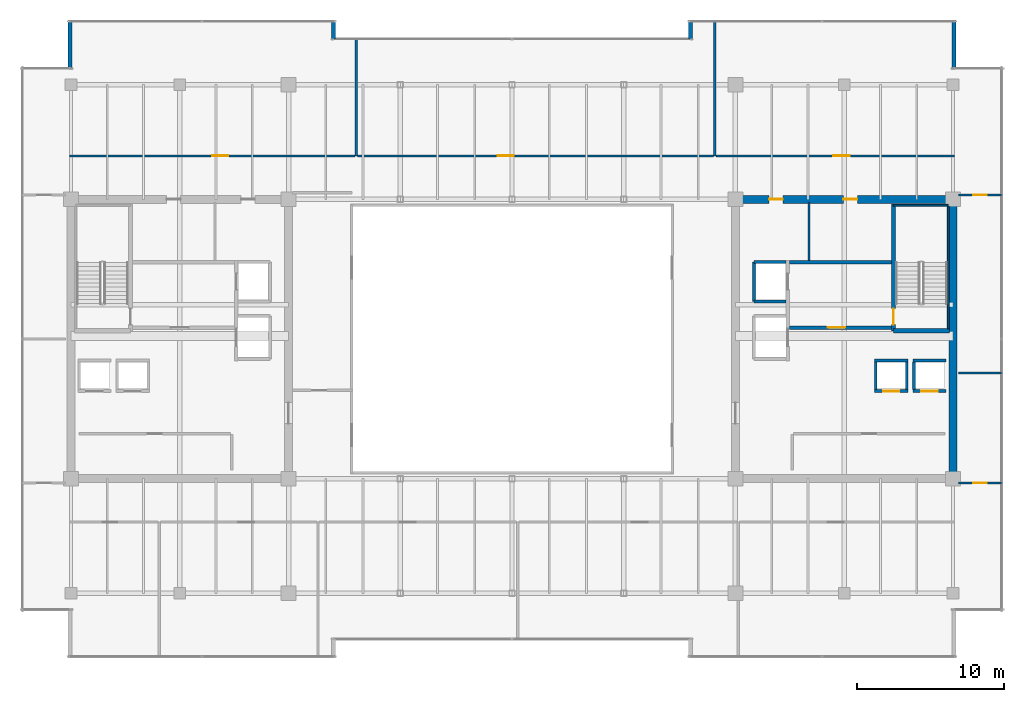
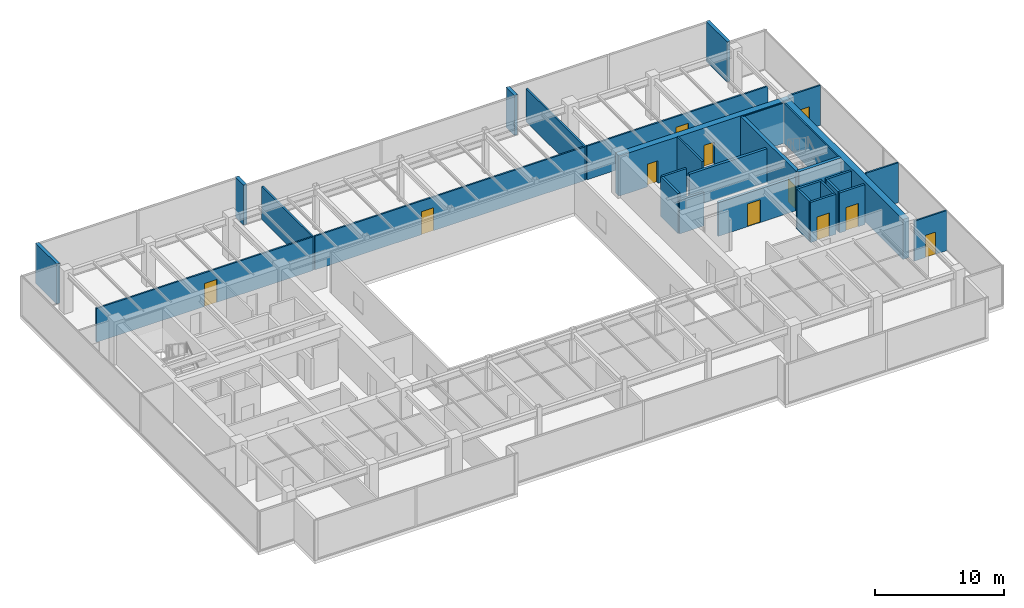
# One storey, part 30 of 33: 31 walls, 11 doors, 11 openings.
"""IFC4 building model written with IfcOpenShell, lengths in metres."""

from ifc_helpers import new_model, si_unit, direction, frame, frame_2d, origin, place, context, subcontext, project, spatial, rectangle, extrude, source, transform, mapped, material, layer, layer_set, type_object, type_shapes, element, fill, save


model = new_model("IFC4")

# Units and contexts
model_context = context("Model", 3, precision=1e-05, world=origin(), true_north=direction((0.0, 1.0)))
body_context = subcontext(model_context, "Body", "Model", "MODEL_VIEW")
ifc_project = project(units=[si_unit("LENGTHUNIT", "METRE"), si_unit("AREAUNIT", "SQUARE_METRE"), si_unit("VOLUMEUNIT", "CUBIC_METRE"), si_unit("PLANEANGLEUNIT", "RADIAN"), si_unit("MASSUNIT", "GRAM", prefix="KILO")], contexts=[model_context])

# Site, building, storey
site_placement = place(None, origin())
site = spatial("IfcSite", under=ifc_project, at=site_placement, CompositionType="ELEMENT")
building_placement = place(site_placement, origin())
building = spatial("IfcBuilding", under=site, at=building_placement, Name="Haelvirn Gate Laboratories", CompositionType="ELEMENT")
storey_placement = place(building_placement, frame((0.0, 0.0, 267.0)))
storey = spatial("IfcBuildingStorey", under=building, at=storey_placement, Name="L64", CompositionType="ELEMENT", Elevation=267.0)

# Walls
ifc_material_1 = material(Name="Thermally-broken bronze aluminium rainscreen & mineral wool", Category="aluminium")
ifc_layer_1 = layer(ifc_material_1, 0.280029296875, Name="EW-TERR-280")
ifc_layer_set_1 = layer_set([ifc_layer_1], Name="Thermally-broken bronze aluminium rainscreen & mineral wool")
wall_type_1 = type_object("IfcWallType", Name="EW-TERR-280", PredefinedType="STANDARD", material=ifc_layer_set_1)
wall_1_placement = place(storey_placement, frame((67.4599609375, 42.7119140625, 0.0), z_axis=(0.0, 0.0, 1.0), x_axis=(0.0, 1.0, 0.0)))
element("IfcWall", 1, at=wall_1_placement, inside=storey, type_object=wall_type_1, Name="L64 Atrium Recess Bronze Return Wall 09", PredefinedType="STANDARD", context=body_context, shape_type="SweptSolid", body=[
    extrude(rectangle(XDim=3.2880859375, YDim=0.280029296875, at=frame_2d((1.64404296875, 0.0))), origin(), (0.0, 0.0, 1.0), 3.800048828125),
])
for number, where, z_axis, x_axis, name in (
    (2, (49.5400390625, 46.0, 0.0), (0.0, 0.0, 1.0), (0.0, -1.0, 0.0), "L64 Atrium Recess Bronze Return Wall 11"),
    (3, (25.260009765625, 44.70703125, 0.0), (0.0, 0.0, 1.0), (0.0, 1.0, 0.0), "L64 Atrium Recess Bronze Return Wall 13"),
):
    element("IfcWall", number, at=place(storey_placement, frame(where, z_axis=z_axis, x_axis=x_axis)), inside=storey, type_object=wall_type_1, Name=name, PredefinedType="STANDARD", context=body_context, shape_type="SweptSolid", body=[
        extrude(rectangle(XDim=1.29296875, YDim=0.280029296875, at=frame_2d((0.646484375, 0.0))), origin(), (0.0, 0.0, 1.0), 3.800048828125),
    ])
wall_2_placement = place(storey_placement, frame((7.340087890625, 46.0, 0.0), z_axis=(0.0, 0.0, 1.0), x_axis=(0.0, -1.0, 0.0)))
element("IfcWall", 4, at=wall_2_placement, inside=storey, type_object=wall_type_1, Name="L64 Atrium Recess Bronze Return Wall 15", PredefinedType="STANDARD", context=body_context, shape_type="SweptSolid", body=[
    extrude(rectangle(XDim=3.2880859375, YDim=0.280029296875, at=frame_2d((1.64404296875, 0.0))), origin(), (0.0, 0.0, 1.0), 3.800048828125),
])
ifc_material_2 = material(Name="Double-layer acoustic gypsum laboratory partition", Category="gypsum")
ifc_layer_2 = layer(ifc_material_2, 0.159912109375, Name="IW-ACOUST-160")
ifc_layer_set_2 = layer_set([ifc_layer_2], Name="Double-layer acoustic gypsum laboratory partition")
wall_type_2 = type_object("IfcWallType", Name="IW-ACOUST-160", PredefinedType="PARTITIONING", material=ifc_layer_set_2)
wall_3_placement = place(storey_placement, frame((26.800048828125, 36.760009765625, 0.0), z_axis=(0.0, 0.0, 1.0), x_axis=(0.0, 1.0, 0.0)))
element("IfcWall", 5, at=wall_3_placement, inside=storey, type_object=wall_type_2, Name="L64 Interior Wall IW-L64-NDIV-01", PredefinedType="PARTITIONING", context=body_context, shape_type="SweptSolid", body=[
    extrude(rectangle(XDim=7.929931640625, YDim=0.159912109375, at=frame_2d((3.96484375, 0.0))), origin(), (0.0, 0.0, 1.0), 3.135009765625),
])
wall_4_placement = place(storey_placement, frame((51.199951171875, 36.760009765625, 0.0), z_axis=(0.0, 0.0, 1.0), x_axis=(0.0, 1.0, 0.0)))
element("IfcWall", 6, at=wall_4_placement, inside=storey, type_object=wall_type_2, Name="L64 Interior Wall IW-L64-NDIV-02", PredefinedType="PARTITIONING", context=body_context, shape_type="SweptSolid", body=[
    extrude(rectangle(XDim=9.1298828125, YDim=0.159912109375, at=frame_2d((4.56494140625, 0.0))), origin(), (0.0, 0.0, 1.0), 3.135009765625),
])

# Wall, opening, door
ifc_material_3 = material(Name="Acoustic mineral-wool gypsum board partition", Category="gypsum")
ifc_layer_3 = layer(ifc_material_3, 0.139892578125, Name="IW-PART-140")
ifc_layer_set_3 = layer_set([ifc_layer_3], Name="Acoustic mineral-wool gypsum board partition")
wall_type_3 = type_object("IfcWallType", Name="IW-PART-140", PredefinedType="PARTITIONING", material=ifc_layer_set_3)
wall_5_placement = place(storey_placement, frame((7.31005859375, 36.760009765625, 0.0), z_axis=(0.0, 0.0, 1.0), x_axis=(1.0, 0.0, 0.0)))
wall_5 = element("IfcWall", 7, at=wall_5_placement, inside=storey, type_object=wall_type_3, Name="L64 Interior Wall IW-L64-NCORR-01", PredefinedType="PARTITIONING", context=body_context, shape_type="SweptSolid", body=[
    extrude(rectangle(XDim=19.409912109375, YDim=0.139892578125, at=frame_2d((9.705078125, 0.0))), origin(), (0.0, 0.0, 1.0), 3.197021484375),
])
opening_1_placement = place(wall_5_placement, frame((9.683349609375, 0.0, 0.0)))
opening_1 = element("IfcOpeningElement", 8, at=opening_1_placement, cuts=wall_5, Name="Opening D1", PredefinedType="OPENING", context=body_context, shape_type="SweptSolid", body=[
    extrude(rectangle(XDim=1.10009765625, YDim=2.179931640625, at=frame_2d((0.550048828125, 1.08984375))), frame((0.0, 0.080078125, 0.0), z_axis=(0.0, -1.0, 0.0), x_axis=(1.0, 0.0, 0.0)), (0.0, 0.0, 1.0), 0.159912109375),
])
ifc_material_4 = material(Name="Vision-panel acoustic solid-core timber lab door", Category="wood")
door_type_1 = type_object("IfcDoorType", Name="DR-LAB-1100", OperationType="NOTDEFINED", PredefinedType="DOOR", material=ifc_material_4)
shared_shape_1 = source(origin(), body_context, "Body", "SweptSolid", [
    extrude(rectangle(XDim=1.10009765625, YDim=2.179931640625, at=frame_2d((0.550048828125, 1.08984375))), frame((0.0, 0.02490234375, 0.0), z_axis=(0.0, -1.0, 0.0), x_axis=(1.0, 0.0, 0.0)), (0.0, 0.0, 1.0), 0.050048828125),
])
type_shapes(door_type_1, [shared_shape_1])
door_1_placement = place(opening_1_placement, origin())
door_1 = element("IfcDoor", 9, at=door_1_placement, inside=storey, type_object=door_type_1, Name="L64 Researcher Break Pantry Door N1", OperationType="SINGLE_SWING_RIGHT", OverallHeight=2.179931640625, OverallWidth=1.10009765625, PredefinedType="DOOR", context=body_context, shape_type="MappedRepresentation", body=[
    mapped(shared_shape_1, transform((0.0, 0.0, 0.0), scale=1.0)),
])
fill(opening_1, door_1)

wall_6_placement = place(storey_placement, frame((26.8798828125, 36.760009765625, 0.0), z_axis=(0.0, 0.0, 1.0), x_axis=(1.0, 0.0, 0.0)))
wall_6 = element("IfcWall", 10, at=wall_6_placement, inside=storey, type_object=wall_type_3, Name="L64 Interior Wall IW-L64-NCORR-02", PredefinedType="PARTITIONING", context=body_context, shape_type="SweptSolid", body=[
    extrude(rectangle(XDim=24.240234375, YDim=0.139892578125, at=frame_2d((12.1201171875, 0.0))), origin(), (0.0, 0.0, 1.0), 3.197021484375),
])
opening_2_placement = place(wall_6_placement, frame((9.55029296875, 0.0, 0.0)))
opening_2 = element("IfcOpeningElement", 11, at=opening_2_placement, cuts=wall_6, Name="Opening D1", PredefinedType="OPENING", context=body_context, shape_type="SweptSolid", body=[
    extrude(rectangle(XDim=1.10009765625, YDim=2.179931640625, at=frame_2d((0.550048828125, 1.08984375))), frame((0.0, 0.080078125, 0.0), z_axis=(0.0, -1.0, 0.0), x_axis=(1.0, 0.0, 0.0)), (0.0, 0.0, 1.0), 0.159912109375),
])
door_2_placement = place(opening_2_placement, origin())
door_2 = element("IfcDoor", 12, at=door_2_placement, inside=storey, type_object=door_type_1, Name="L64 Laser-Safety Consult Room Door N2", OperationType="SINGLE_SWING_LEFT", OverallHeight=2.179931640625, OverallWidth=1.10009765625, PredefinedType="DOOR", context=body_context, shape_type="MappedRepresentation", body=[
    mapped(shared_shape_1, transform((0.0, 0.0, 0.0), scale=1.0)),
])
fill(opening_2, door_2)

wall_7_placement = place(storey_placement, frame((51.280029296875, 36.760009765625, 0.0), z_axis=(0.0, 0.0, 1.0), x_axis=(1.0, 0.0, 0.0)))
wall_7 = element("IfcWall", 13, at=wall_7_placement, inside=storey, type_object=wall_type_3, Name="L64 Interior Wall IW-L64-NCORR-03", PredefinedType="PARTITIONING", context=body_context, shape_type="SweptSolid", body=[
    extrude(rectangle(XDim=16.2099609375, YDim=0.139892578125, at=frame_2d((8.10498046875, 0.0))), origin(), (0.0, 0.0, 1.0), 3.197021484375),
])
opening_3_placement = place(wall_7_placement, frame((7.9873046875, 0.0, 0.0)))
opening_3 = element("IfcOpeningElement", 14, at=opening_3_placement, cuts=wall_7, Name="Opening D1", PredefinedType="OPENING", context=body_context, shape_type="SweptSolid", body=[
    extrude(rectangle(XDim=1.10009765625, YDim=2.179931640625, at=frame_2d((0.550048828125, 1.08984375))), frame((0.0, 0.080078125, 0.0), z_axis=(0.0, -1.0, 0.0), x_axis=(1.0, 0.0, 0.0)), (0.0, 0.0, 1.0), 0.159912109375),
])
door_3_placement = place(opening_3_placement, origin())
door_3 = element("IfcDoor", 15, at=door_3_placement, inside=storey, type_object=door_type_1, Name="L64 Occupational Biosafety Clinic Door N3", OperationType="SINGLE_SWING_RIGHT", OverallHeight=2.179931640625, OverallWidth=1.10009765625, PredefinedType="DOOR", context=body_context, shape_type="MappedRepresentation", body=[
    mapped(shared_shape_1, transform((0.0, 0.0, 0.0), scale=1.0)),
])
fill(opening_3, door_3)

# Wall
wall_8_placement = place(storey_placement, frame((67.780029296875, 22.0, 0.0), z_axis=(0.0, 0.0, 1.0), x_axis=(1.0, 0.0, 0.0)))
element("IfcWall", 16, at=wall_8_placement, inside=storey, type_object=wall_type_3, Name="L64 Interior Wall IW-L64-EZ3-MID", PredefinedType="PARTITIONING", context=body_context, shape_type="SweptSolid", body=[
    extrude(rectangle(XDim=2.909912109375, YDim=0.139892578125, at=frame_2d((1.455078125, 0.0))), origin(), (0.0, 0.0, 1.0), 3.800048828125),
])

# Wall, opening, door
wall_9_placement = place(storey_placement, frame((67.780029296875, 14.5048828125, 0.0), z_axis=(0.0, 0.0, 1.0), x_axis=(1.0, 0.0, 0.0)))
wall_9 = element("IfcWall", 17, at=wall_9_placement, inside=storey, type_object=wall_type_3, Name="L64 Interior Wall IW-L64-EZ3-ENT-S", PredefinedType="PARTITIONING", context=body_context, shape_type="SweptSolid", body=[
    extrude(rectangle(XDim=2.909912109375, YDim=0.139892578125, at=frame_2d((1.455078125, 0.0))), origin(), (0.0, 0.0, 1.0), 3.800048828125),
])
opening_4_placement = place(wall_9_placement, frame((1.0048828125, 0.0, 0.0)))
opening_4 = element("IfcOpeningElement", 18, at=opening_4_placement, cuts=wall_9, Name="Opening D4", PredefinedType="OPENING", context=body_context, shape_type="SweptSolid", body=[
    extrude(rectangle(XDim=0.89990234375, YDim=2.10009765625, at=frame_2d((0.449951171875, 1.050048828125))), frame((0.0, 0.080078125, 0.0), z_axis=(0.0, -1.0, 0.0), x_axis=(1.0, 0.0, 0.0)), (0.0, 0.0, 1.0), 0.159912109375),
])
ifc_material_5 = material(Name="Glazed aluminium-framed write-up door", Category="aluminium")
door_type_2 = type_object("IfcDoorType", Name="DR-OFF-900", OperationType="NOTDEFINED", PredefinedType="DOOR", material=ifc_material_5)
shared_shape_2 = source(origin(), body_context, "Body", "SweptSolid", [
    extrude(rectangle(XDim=0.89990234375, YDim=2.10009765625, at=frame_2d((0.449951171875, 1.050048828125))), frame((0.0, 0.02490234375, 0.0), z_axis=(0.0, -1.0, 0.0), x_axis=(1.0, 0.0, 0.0)), (0.0, 0.0, 1.0), 0.050048828125),
])
type_shapes(door_type_2, [shared_shape_2])
door_4_placement = place(opening_4_placement, origin())
door_4 = element("IfcDoor", 19, at=door_4_placement, inside=storey, type_object=door_type_2, Name="L64 Chemical Synthesis Laboratory Door E-S", OperationType="SINGLE_SWING_LEFT", OverallHeight=2.10009765625, OverallWidth=0.89990234375, PredefinedType="DOOR", context=body_context, shape_type="MappedRepresentation", body=[
    mapped(shared_shape_2, transform((0.0, 0.0, 0.0), scale=1.0)),
])
fill(opening_4, door_4)

wall_10_placement = place(storey_placement, frame((67.780029296875, 34.094970703125, 0.0), z_axis=(0.0, 0.0, 1.0), x_axis=(1.0, 0.0, 0.0)))
wall_10 = element("IfcWall", 20, at=wall_10_placement, inside=storey, type_object=wall_type_3, Name="L64 Interior Wall IW-L64-EZ3-ENT-N", PredefinedType="PARTITIONING", context=body_context, shape_type="SweptSolid", body=[
    extrude(rectangle(XDim=2.909912109375, YDim=0.139892578125, at=frame_2d((1.455078125, 0.0))), origin(), (0.0, 0.0, 1.0), 3.800048828125),
])
opening_5_placement = place(wall_10_placement, frame((1.0048828125, 0.0, 0.0)))
opening_5 = element("IfcOpeningElement", 21, at=opening_5_placement, cuts=wall_10, Name="Opening D4", PredefinedType="OPENING", context=body_context, shape_type="SweptSolid", body=[
    extrude(rectangle(XDim=0.89990234375, YDim=2.10009765625, at=frame_2d((0.449951171875, 1.050048828125))), frame((0.0, 0.080078125, 0.0), z_axis=(0.0, -1.0, 0.0), x_axis=(1.0, 0.0, 0.0)), (0.0, 0.0, 1.0), 0.159912109375),
])
door_5_placement = place(opening_5_placement, origin())
door_5 = element("IfcDoor", 22, at=door_5_placement, inside=storey, type_object=door_type_2, Name="L64 Genomics Assay Laboratory Door E-N", OperationType="SINGLE_SWING_RIGHT", OverallHeight=2.10009765625, OverallWidth=0.89990234375, PredefinedType="DOOR", context=body_context, shape_type="MappedRepresentation", body=[
    mapped(shared_shape_2, transform((0.0, 0.0, 0.0), scale=1.0)),
])
fill(opening_5, door_5)

# Walls
ifc_material_6 = material(Name="Cement-board restroom plumbing chase wall", Category="gypsum")
ifc_layer_4 = layer(ifc_material_6, 0.155029296875, Name="IW-PLUMB-160")
ifc_layer_set_4 = layer_set([ifc_layer_4], Name="Cement-board restroom plumbing chase wall")
wall_type_4 = type_object("IfcWallType", Name="IW-PLUMB-160", PredefinedType="PLUMBINGWALL", material=ifc_layer_set_4)
wall_11_placement = place(storey_placement, frame((57.610107421875, 29.64990234375, 0.0), z_axis=(0.0, 0.0, 1.0), x_axis=(0.0, 1.0, 0.0)))
element("IfcWall", 23, at=wall_11_placement, inside=storey, type_object=wall_type_4, Name="L64 Interior Wall IW-L64-E-CDIV-1", PredefinedType="PLUMBINGWALL", context=body_context, shape_type="SweptSolid", body=[
    extrude(rectangle(XDim=3.93017578125, YDim=0.155029296875, at=frame_2d((1.965087890625, 0.0))), origin(), (0.0, 0.0, 1.0), 3.800048828125),
])
ifc_material_7 = material(Name="Concrete C40/50", Category="concrete")
ifc_layer_5 = layer(ifc_material_7, 0.179931640625, Name="IW-SHAFT-180")
ifc_layer_set_5 = layer_set([ifc_layer_5], Name="Concrete C40/50")
wall_type_5 = type_object("IfcWallType", Name="IW-SHAFT-180", PredefinedType="SOLIDWALL", material=ifc_layer_set_5)
for number, where, z_axis, x_axis, name in (
    (24, (64.75, 20.85009765625, 0.0), (0.0, 0.0, 1.0), (0.0, 1.0, 0.0), "L64 Interior Wall IW-L64-PL11-SD"),
    (25, (62.14990234375, 20.85009765625, 0.0), (0.0, 0.0, 1.0), (0.0, 1.0, 0.0), "L64 Interior Wall IW-L64-PL12-SD"),
    (26, (64.25, 20.85009765625, 0.0), (0.0, 0.0, 1.0), (0.0, 1.0, 0.0), "L64 Interior Wall IW-L64-PL12-SDE"),
):
    element("IfcWall", number, at=place(storey_placement, frame(where, z_axis=z_axis, x_axis=x_axis)), inside=storey, type_object=wall_type_5, Name=name, PredefinedType="SOLIDWALL", context=body_context, shape_type="SweptSolid", body=[
        extrude(rectangle(XDim=1.89990234375, YDim=0.179931640625, at=frame_2d((0.949951171875, 0.0))), origin(), (0.0, 0.0, 1.0), 3.800048828125),
    ])

# Wall, opening, door
ifc_layer_6 = layer(ifc_material_7, 0.199951171875, Name="IW-SHAFT-200")
ifc_layer_set_6 = layer_set([ifc_layer_6], Name="Concrete C40/50")
wall_type_6 = type_object("IfcWallType", Name="IW-SHAFT-200", PredefinedType="SOLIDWALL", material=ifc_layer_set_6)
wall_12_placement = place(storey_placement, frame((64.669921875, 20.75, 0.0), z_axis=(0.0, 0.0, 1.0), x_axis=(1.0, 0.0, 0.0)))
wall_12 = element("IfcWall", 27, at=wall_12_placement, inside=storey, type_object=wall_type_6, Name="L64 Interior Wall IW-L64-PL11-FR", PredefinedType="SOLIDWALL", context=body_context, shape_type="SweptSolid", body=[
    extrude(rectangle(XDim=2.260009765625, YDim=0.199951171875, at=frame_2d((1.1298828125, 0.0))), origin(), (0.0, 0.0, 1.0), 3.800048828125),
])
opening_6_placement = place(wall_12_placement, frame((0.580078125, 0.0, 0.0)))
opening_6 = element("IfcOpeningElement", 28, at=opening_6_placement, cuts=wall_12, Name="Opening LD2", PredefinedType="OPENING", context=body_context, shape_type="SweptSolid", body=[
    extrude(rectangle(XDim=1.10009765625, YDim=2.219970703125, at=frame_2d((0.550048828125, 1.10986328125))), frame((0.0, 0.10986328125, 0.0), z_axis=(0.0, -1.0, 0.0), x_axis=(1.0, 0.0, 0.0)), (0.0, 0.0, 1.0), 0.219970703125),
])
ifc_material_8 = material(Name="Bronze stainless 316L sliding lift landing door")
door_type_3 = type_object("IfcDoorType", Name="DR-LD-1100", OperationType="NOTDEFINED", PredefinedType="USERDEFINED", material=ifc_material_8)
shared_shape_3 = source(origin(), body_context, "Body", "SweptSolid", [
    extrude(rectangle(XDim=1.10009765625, YDim=2.219970703125, at=frame_2d((0.550048828125, 1.10986328125))), frame((0.0, 0.02490234375, 0.0), z_axis=(0.0, -1.0, 0.0), x_axis=(1.0, 0.0, 0.0)), (0.0, 0.0, 1.0), 0.050048828125),
])
type_shapes(door_type_3, [shared_shape_3])
door_6_placement = place(opening_6_placement, origin())
door_6 = element("IfcDoor", 29, at=door_6_placement, inside=storey, type_object=door_type_3, Name="L64 Passenger Lift PL11 Landing Door", ObjectType="LANDING_DOOR", OperationType="SLIDING_TO_LEFT", OverallHeight=2.219970703125, OverallWidth=1.10009765625, PredefinedType="USERDEFINED", context=body_context, shape_type="MappedRepresentation", body=[
    mapped(shared_shape_3, transform((0.0, 0.0, 0.0), scale=1.0)),
])
fill(opening_6, door_6)

# Wall
wall_13_placement = place(storey_placement, frame((64.669921875, 22.85009765625, 0.0), z_axis=(0.0, 0.0, 1.0), x_axis=(1.0, 0.0, 0.0)))
element("IfcWall", 30, at=wall_13_placement, inside=storey, type_object=wall_type_6, Name="L64 Interior Wall IW-L64-PL11-BK", PredefinedType="SOLIDWALL", context=body_context, shape_type="SweptSolid", body=[
    extrude(rectangle(XDim=2.260009765625, YDim=0.199951171875, at=frame_2d((1.1298828125, 0.0))), origin(), (0.0, 0.0, 1.0), 3.800048828125),
])

# Wall, opening, door
wall_14_placement = place(storey_placement, frame((62.070068359375, 20.75, 0.0), z_axis=(0.0, 0.0, 1.0), x_axis=(1.0, 0.0, 0.0)))
wall_14 = element("IfcWall", 31, at=wall_14_placement, inside=storey, type_object=wall_type_6, Name="L64 Interior Wall IW-L64-PL12-FR", PredefinedType="SOLIDWALL", context=body_context, shape_type="SweptSolid", body=[
    extrude(rectangle(XDim=2.260009765625, YDim=0.199951171875, at=frame_2d((1.1298828125, 0.0))), origin(), (0.0, 0.0, 1.0), 3.800048828125),
])
opening_7_placement = place(wall_14_placement, frame((0.580078125, 0.0, 0.0)))
opening_7 = element("IfcOpeningElement", 32, at=opening_7_placement, cuts=wall_14, Name="Opening LD2", PredefinedType="OPENING", context=body_context, shape_type="SweptSolid", body=[
    extrude(rectangle(XDim=1.10009765625, YDim=2.219970703125, at=frame_2d((0.550048828125, 1.10986328125))), frame((0.0, 0.10986328125, 0.0), z_axis=(0.0, -1.0, 0.0), x_axis=(1.0, 0.0, 0.0)), (0.0, 0.0, 1.0), 0.219970703125),
])
door_7_placement = place(opening_7_placement, origin())
door_7 = element("IfcDoor", 33, at=door_7_placement, inside=storey, type_object=door_type_3, Name="L64 Passenger Lift PL12 Landing Door", ObjectType="LANDING_DOOR", OperationType="SLIDING_TO_RIGHT", OverallHeight=2.219970703125, OverallWidth=1.10009765625, PredefinedType="USERDEFINED", context=body_context, shape_type="MappedRepresentation", body=[
    mapped(shared_shape_3, transform((0.0, 0.0, 0.0), scale=1.0)),
])
fill(opening_7, door_7)

# Walls
wall_15_placement = place(storey_placement, frame((62.070068359375, 22.85009765625, 0.0), z_axis=(0.0, 0.0, 1.0), x_axis=(1.0, 0.0, 0.0)))
element("IfcWall", 34, at=wall_15_placement, inside=storey, type_object=wall_type_6, Name="L64 Interior Wall IW-L64-PL12-BK", PredefinedType="SOLIDWALL", context=body_context, shape_type="SweptSolid", body=[
    extrude(rectangle(XDim=2.260009765625, YDim=0.199951171875, at=frame_2d((1.1298828125, 0.0))), origin(), (0.0, 0.0, 1.0), 3.800048828125),
])
wall_16_placement = place(storey_placement, frame((53.85009765625, 26.85009765625, 0.0), z_axis=(0.0, 0.0, 1.0), x_axis=(0.0, 1.0, 0.0)))
element("IfcWall", 35, at=wall_16_placement, inside=storey, type_object=wall_type_6, Name="L64 Interior Wall IW-L64-FL2-BK", PredefinedType="SOLIDWALL", context=body_context, shape_type="SweptSolid", body=[
    extrude(rectangle(XDim=2.699951171875, YDim=0.199951171875, at=frame_2d((1.35009765625, 0.0))), origin(), (0.0, 0.0, 1.0), 3.800048828125),
])
wall_17_placement = place(storey_placement, frame((53.85009765625, 29.550048828125, 0.0), z_axis=(0.0, 0.0, 1.0), x_axis=(1.0, 0.0, 0.0)))
element("IfcWall", 36, at=wall_17_placement, inside=storey, type_object=wall_type_6, Name="L64 Interior Wall IW-L64-FL2-N", PredefinedType="SOLIDWALL", context=body_context, shape_type="SweptSolid", body=[
    extrude(rectangle(XDim=2.18994140625, YDim=0.199951171875, at=frame_2d((1.094970703125, 0.0))), origin(), (0.0, 0.0, 1.0), 3.800048828125),
])
wall_18_placement = place(storey_placement, frame((53.85009765625, 26.85009765625, 0.0), z_axis=(0.0, 0.0, 1.0), x_axis=(1.0, 0.0, 0.0)))
element("IfcWall", 37, at=wall_18_placement, inside=storey, type_object=wall_type_6, Name="L64 Interior Wall IW-L64-FL2-S", PredefinedType="SOLIDWALL", context=body_context, shape_type="SweptSolid", body=[
    extrude(rectangle(XDim=2.18994140625, YDim=0.199951171875, at=frame_2d((1.094970703125, 0.0))), origin(), (0.0, 0.0, 1.0), 3.197021484375),
])

# Wall, opening, door
ifc_layer_7 = layer(ifc_material_7, 0.239990234375, Name="IW-SHAFT-240")
ifc_layer_set_7 = layer_set([ifc_layer_7], Name="Concrete C40/50")
wall_type_7 = type_object("IfcWallType", Name="IW-SHAFT-240", PredefinedType="SOLIDWALL", material=ifc_layer_set_7)
wall_19_placement = place(storey_placement, frame((56.280029296875, 25.080078125, 0.0), z_axis=(0.0, 0.0, 1.0), x_axis=(1.0, 0.0, 0.0)))
wall_19 = element("IfcWall", 38, at=wall_19_placement, inside=storey, type_object=wall_type_7, Name="L64 Interior Wall IW-L64-E-FF-S", PredefinedType="SOLIDWALL", context=body_context, shape_type="SweptSolid", body=[
    extrude(rectangle(XDim=6.919921875, YDim=0.239990234375, at=frame_2d((3.4599609375, 0.0))), origin(), (0.0, 0.0, 1.0), 3.197021484375),
])
opening_8_placement = place(wall_19_placement, frame((2.60009765625, 0.0, 0.0)))
opening_8 = element("IfcOpeningElement", 39, at=opening_8_placement, cuts=wall_19, Name="Opening FD2", PredefinedType="OPENING", context=body_context, shape_type="SweptSolid", body=[
    extrude(rectangle(XDim=1.199951171875, YDim=2.159912109375, at=frame_2d((0.60009765625, 1.080078125))), frame((0.0, 0.1298828125, 0.0), z_axis=(0.0, -1.0, 0.0), x_axis=(1.0, 0.0, 0.0)), (0.0, 0.0, 1.0), 0.260009765625),
])
ifc_material_9 = material(Name="Fire-rated steel SM355 compartment door", Category="steel")
door_type_4 = type_object("IfcDoorType", Name="DR-FD-1200", OperationType="NOTDEFINED", PredefinedType="DOOR", material=ifc_material_9)
shared_shape_4 = source(origin(), body_context, "Body", "SweptSolid", [
    extrude(rectangle(XDim=1.199951171875, YDim=2.159912109375, at=frame_2d((0.60009765625, 1.080078125))), frame((0.0, 0.02490234375, 0.0), z_axis=(0.0, -1.0, 0.0), x_axis=(1.0, 0.0, 0.0)), (0.0, 0.0, 1.0), 0.050048828125),
])
type_shapes(door_type_4, [shared_shape_4])
door_8_placement = place(opening_8_placement, origin())
door_8 = element("IfcDoor", 40, at=door_8_placement, inside=storey, type_object=door_type_4, Name="L64 East Firefighting Lobby Door", OperationType="SINGLE_SWING_LEFT", OverallHeight=2.159912109375, OverallWidth=1.199951171875, PredefinedType="DOOR", context=body_context, shape_type="MappedRepresentation", body=[
    mapped(shared_shape_4, transform((0.0, 0.0, 0.0), scale=1.0)),
])
fill(opening_8, door_8)

# Wall
wall_20_placement = place(storey_placement, frame((56.280029296875, 29.52001953125, 0.0), z_axis=(0.0, 0.0, 1.0), x_axis=(1.0, 0.0, 0.0)))
element("IfcWall", 41, at=wall_20_placement, inside=storey, type_object=wall_type_7, Name="L64 Interior Wall IW-L64-E-FF-N", PredefinedType="SOLIDWALL", context=body_context, shape_type="SweptSolid", body=[
    extrude(rectangle(XDim=6.919921875, YDim=0.239990234375, at=frame_2d((3.4599609375, 0.0))), origin(), (0.0, 0.0, 1.0), 3.197021484375),
])

# Wall, openings, doors
ifc_material_10 = material(Name="Concrete C50/60", Category="concrete")
ifc_layer_8 = layer(ifc_material_10, 0.550048828125, Name="SW-CORE-550")
ifc_layer_set_8 = layer_set([ifc_layer_8], Name="Concrete C50/60")
wall_type_8 = type_object("IfcWallType", Name="SW-CORE-550", PredefinedType="SHEAR", material=ifc_layer_set_8)
wall_21_placement = place(storey_placement, frame((52.324951171875, 33.800048828125, 0.0), z_axis=(0.0, 0.0, 1.0), x_axis=(1.0, 0.0, 0.0)))
wall_21 = element("IfcWall", 42, at=wall_21_placement, inside=storey, type_object=wall_type_8, Name="L64 E Core Shear Wall N", PredefinedType="SHEAR", context=body_context, shape_type="SweptSolid", body=[
    extrude(rectangle(XDim=15.35009765625, YDim=0.550048828125, at=frame_2d((7.675048828125, 0.0))), origin(), (0.0, 0.0, 1.0), 3.800048828125),
])
opening_9_placement = place(wall_21_placement, frame((7.625, 0.0, 0.0)))
opening_9 = element("IfcOpeningElement", 43, at=opening_9_placement, cuts=wall_21, Name="Opening FD4", PredefinedType="OPENING", context=body_context, shape_type="SweptSolid", body=[
    extrude(rectangle(XDim=0.949951171875, YDim=2.14990234375, at=frame_2d((0.47509765625, 1.074951171875))), frame((0.0, 0.28515625, 0.0), z_axis=(0.0, -1.0, 0.0), x_axis=(1.0, 0.0, 0.0)), (0.0, 0.0, 1.0), 0.570068359375),
])
opening_10_placement = place(wall_21_placement, frame((2.56005859375, 0.0, 0.0)))
opening_10 = element("IfcOpeningElement", 44, at=opening_10_placement, cuts=wall_21, Name="Opening FD4", PredefinedType="OPENING", context=body_context, shape_type="SweptSolid", body=[
    extrude(rectangle(XDim=0.949951171875, YDim=2.14990234375, at=frame_2d((0.47509765625, 1.074951171875))), frame((0.0, 0.28515625, 0.0), z_axis=(0.0, -1.0, 0.0), x_axis=(1.0, 0.0, 0.0)), (0.0, 0.0, 1.0), 0.570068359375),
])
ifc_material_11 = material(Name="Fire-rated steel SM355 core service door", Category="steel")
door_type_5 = type_object("IfcDoorType", Name="DR-FD-950", OperationType="NOTDEFINED", PredefinedType="DOOR", material=ifc_material_11)
shared_shape_5 = source(origin(), body_context, "Body", "SweptSolid", [
    extrude(rectangle(XDim=0.949951171875, YDim=2.14990234375, at=frame_2d((0.47509765625, 1.074951171875))), frame((0.0, 0.02490234375, 0.0), z_axis=(0.0, -1.0, 0.0), x_axis=(1.0, 0.0, 0.0)), (0.0, 0.0, 1.0), 0.050048828125),
])
type_shapes(door_type_5, [shared_shape_5])
door_9_placement = place(opening_9_placement, origin())
door_9 = element("IfcDoor", 45, at=door_9_placement, inside=storey, type_object=door_type_5, Name="L64 All-Gender Multi-Stall Restroom Fire Door", OperationType="SINGLE_SWING_LEFT", OverallHeight=2.14990234375, OverallWidth=0.949951171875, PredefinedType="DOOR", context=body_context, shape_type="MappedRepresentation", body=[
    mapped(shared_shape_5, transform((0.0, 0.0, 0.0), scale=1.0)),
])
fill(opening_9, door_9)
door_10_placement = place(opening_10_placement, origin())
door_10 = element("IfcDoor", 46, at=door_10_placement, inside=storey, type_object=door_type_5, Name="L64 Accessible Restroom Fire Door", OperationType="SINGLE_SWING_RIGHT", OverallHeight=2.14990234375, OverallWidth=0.949951171875, PredefinedType="DOOR", context=body_context, shape_type="MappedRepresentation", body=[
    mapped(shared_shape_5, transform((0.0, 0.0, 0.0), scale=1.0)),
])
fill(opening_10, door_10)

# Walls
wall_22_placement = place(storey_placement, frame((67.39990234375, 15.074951171875, 0.0), z_axis=(0.0, 0.0, 1.0), x_axis=(0.0, 1.0, 0.0)))
element("IfcWall", 47, at=wall_22_placement, inside=storey, type_object=wall_type_8, Name="L64 E Core Shear Wall E", PredefinedType="SHEAR", context=body_context, shape_type="SweptSolid", body=[
    extrude(rectangle(XDim=18.449951171875, YDim=0.550048828125, at=frame_2d((9.22509765625, 0.0))), origin(), (0.0, 0.0, 1.0), 3.800048828125),
])
ifc_layer_9 = layer(ifc_material_10, 0.1201171875, Name="SW-LINER-120")
ifc_layer_set_9 = layer_set([ifc_layer_9], Name="Concrete C50/60")
wall_type_9 = type_object("IfcWallType", Name="SW-LINER-120", PredefinedType="SOLIDWALL", material=ifc_layer_set_9)
wall_23_placement = place(storey_placement, frame((63.35009765625, 33.39990234375, 0.0), z_axis=(0.0, 0.0, 1.0), x_axis=(1.0, 0.0, 0.0)))
element("IfcWall", 48, at=wall_23_placement, inside=storey, type_object=wall_type_9, Name="L64 E Core Stair Shaft Liner Wall N", PredefinedType="SOLIDWALL", context=body_context, shape_type="SweptSolid", body=[
    extrude(rectangle(XDim=3.719970703125, YDim=0.1201171875, at=frame_2d((1.85986328125, 0.0))), origin(), (0.0, 0.0, 1.0), 3.800048828125),
])
wall_24_placement = place(storey_placement, frame((67.070068359375, 25.0, 0.0), z_axis=(0.0, 0.0, 1.0), x_axis=(0.0, 1.0, 0.0)))
element("IfcWall", 49, at=wall_24_placement, inside=storey, type_object=wall_type_9, Name="L64 E Core Stair Shaft Liner Wall OUT", PredefinedType="SOLIDWALL", context=body_context, shape_type="SweptSolid", body=[
    extrude(rectangle(XDim=8.320068359375, YDim=0.1201171875, at=frame_2d((4.16015625, 0.0))), origin(), (0.0, 0.0, 1.0), 3.800048828125),
])

# Wall, opening, door
ifc_layer_10 = layer(ifc_material_10, 0.300048828125, Name="SW-STAIR-300")
ifc_layer_set_10 = layer_set([ifc_layer_10], Name="Concrete C50/60")
wall_type_10 = type_object("IfcWallType", Name="SW-STAIR-300", PredefinedType="SHEAR", material=ifc_layer_set_10)
wall_25_placement = place(storey_placement, frame((63.35009765625, 24.85009765625, 0.0), z_axis=(0.0, 0.0, 1.0), x_axis=(0.0, 1.0, 0.0)))
wall_25 = element("IfcWall", 50, at=wall_25_placement, inside=storey, type_object=wall_type_10, Name="L64 E Core Stair Shaft Structural Wall IN", PredefinedType="SHEAR", context=body_context, shape_type="SweptSolid", body=[
    extrude(rectangle(XDim=8.6298828125, YDim=0.300048828125, at=frame_2d((4.31494140625, 0.0))), origin(), (0.0, 0.0, 1.0), 3.800048828125),
])
opening_11_placement = place(wall_25_placement, frame((0.419921875, 0.0, 0.0)))
opening_11 = element("IfcOpeningElement", 51, at=opening_11_placement, cuts=wall_25, Name="Opening FD3", PredefinedType="OPENING", context=body_context, shape_type="SweptSolid", body=[
    extrude(rectangle(XDim=1.10009765625, YDim=2.14990234375, at=frame_2d((0.550048828125, 1.074951171875))), frame((0.0, 0.16015625, 0.0), z_axis=(0.0, -1.0, 0.0), x_axis=(1.0, 0.0, 0.0)), (0.0, 0.0, 1.0), 0.320068359375),
])
ifc_material_12 = material(Name="Fire-rated steel SM355 escape stair door", Category="steel")
door_type_6 = type_object("IfcDoorType", Name="DR-FD-1100", OperationType="NOTDEFINED", PredefinedType="DOOR", material=ifc_material_12)
shared_shape_6 = source(origin(), body_context, "Body", "SweptSolid", [
    extrude(rectangle(XDim=1.10009765625, YDim=2.14990234375, at=frame_2d((0.550048828125, 1.074951171875))), frame((0.0, 0.02490234375, 0.0), z_axis=(0.0, -1.0, 0.0), x_axis=(1.0, 0.0, 0.0)), (0.0, 0.0, 1.0), 0.050048828125),
])
type_shapes(door_type_6, [shared_shape_6])
door_11_placement = place(opening_11_placement, origin())
door_11 = element("IfcDoor", 52, at=door_11_placement, inside=storey, type_object=door_type_6, Name="L64 Escape Stair ST2 Fire Door", OperationType="SINGLE_SWING_RIGHT", OverallHeight=2.14990234375, OverallWidth=1.10009765625, PredefinedType="DOOR", context=body_context, shape_type="MappedRepresentation", body=[
    mapped(shared_shape_6, transform((0.0, 0.0, 0.0), scale=1.0)),
])
fill(opening_11, door_11)

# Wall
wall_26_placement = place(storey_placement, frame((63.35009765625, 24.85009765625, 0.0), z_axis=(0.0, 0.0, 1.0), x_axis=(1.0, 0.0, 0.0)))
element("IfcWall", 53, at=wall_26_placement, inside=storey, type_object=wall_type_10, Name="L64 E Core Stair Shaft Structural Wall S", PredefinedType="SHEAR", context=body_context, shape_type="SweptSolid", body=[
    extrude(rectangle(XDim=3.7998046875, YDim=0.300048828125, at=frame_2d((1.89990234375, 0.0))), origin(), (0.0, 0.0, 1.0), 3.800048828125),
])

save(model, "model.ifc")
